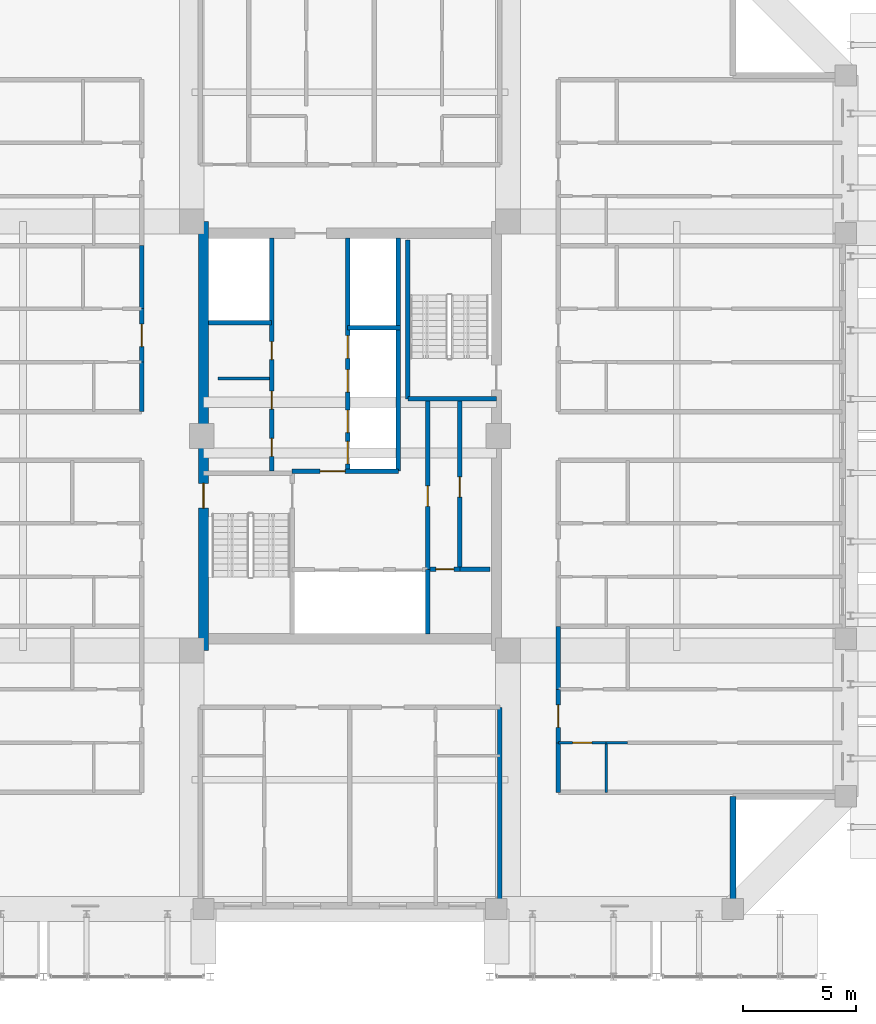
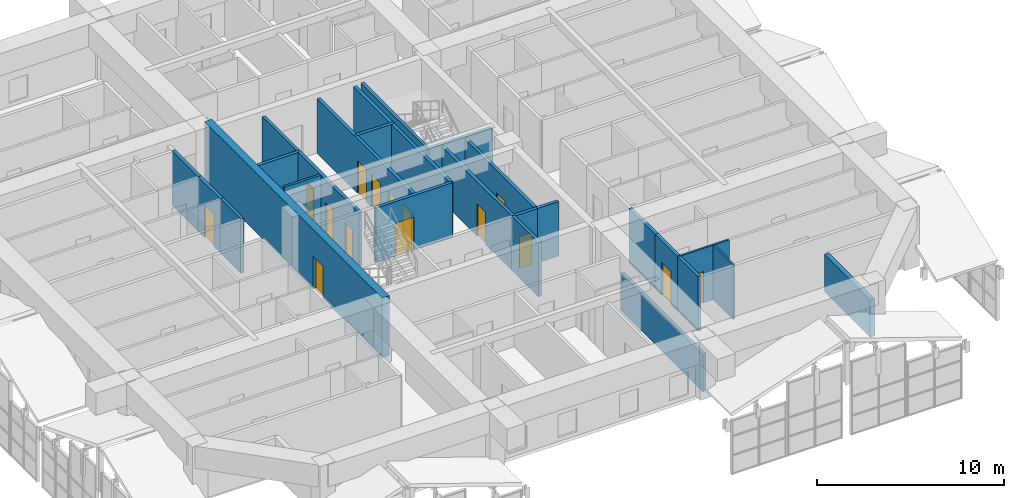
# One storey, part 39 of 45: 27 walls, 15 doors, 15 openings.
"""IFC4 building model written with IfcOpenShell, lengths in metres."""

from ifc_helpers import new_model, si_unit, direction, frame, frame_2d, origin, place, context, subcontext, project, spatial, rectangle, extrude, source, transform, mapped, material, layer, layer_set, type_object, element, fill, save


model = new_model("IFC4")

# Units and contexts
model_context = context("Model", 3, precision=1e-05, world=origin(), true_north=direction((0.0, 1.0)))
body_context = subcontext(model_context, "Body", "Model", "MODEL_VIEW")
ifc_project = project(units=[si_unit("LENGTHUNIT", "METRE"), si_unit("AREAUNIT", "SQUARE_METRE"), si_unit("VOLUMEUNIT", "CUBIC_METRE"), si_unit("PLANEANGLEUNIT", "RADIAN"), si_unit("MASSUNIT", "GRAM", prefix="KILO")], contexts=[model_context])

# Site, building, storey
site_placement = place(None, origin())
site = spatial("IfcSite", under=ifc_project, at=site_placement, CompositionType="ELEMENT")
building_placement = place(site_placement, origin())
building = spatial("IfcBuilding", under=site, at=building_placement, Name="Saelheon Loggia Tower", CompositionType="ELEMENT")
storey_placement = place(building_placement, frame((0.0, 0.0, 152.199951171875)))
storey = spatial("IfcBuildingStorey", under=building, at=storey_placement, Name="L48", CompositionType="ELEMENT", Elevation=152.199951171875)

# Wall, opening, door
ifc_material_1 = material(Name="Concrete C45/55", Category="concrete")
ifc_layer_1 = layer(ifc_material_1, 0.449951171875)
ifc_layer_set_1 = layer_set([ifc_layer_1], Name="Concrete C45/55")
wall_type_1 = type_object("IfcWallType", Name="Wall_CoreShear_450", PredefinedType="SHEAR", material=ifc_layer_set_1)
wall_1_placement = place(storey_placement, frame((31.5, 17.47998046875, 0.0), z_axis=(0.0, 0.0, 1.0), x_axis=(0.0, 1.0, 0.0)))
wall_1 = element("IfcWall", 1, at=wall_1_placement, inside=storey, type_object=wall_type_1, Name="L48 Core Shear Wall West", PredefinedType="SHEAR", context=body_context, shape_type="SweptSolid", body=[
    extrude(rectangle(XDim=19.0400390625, YDim=0.449951171875, at=frame_2d((9.52001953125, 0.0))), origin(), (0.0, 0.0, 1.0), 3.900146484375),
])
opening_1_placement = place(wall_1_placement, frame((6.320068359375, 0.0, 0.0)))
opening_1 = element("IfcOpeningElement", 2, at=opening_1_placement, cuts=wall_1, Name="Opening D-FD2", PredefinedType="OPENING", context=body_context, shape_type="SweptSolid", body=[
    extrude(rectangle(XDim=1.10009765625, YDim=2.14990234375, at=frame_2d((0.550048828125, 1.074951171875))), frame((0.0, 0.237060546875, 0.0), z_axis=(0.0, -1.0, 0.0), x_axis=(1.0, 0.0, 0.0)), (0.0, 0.0, 1.0), 0.473876953125),
])
ifc_material_2 = material(Name="Galvanised Steel Fire Door", Category="steel")
door_type_1 = type_object("IfcDoorType", Name="Door_Fire_FD60_1100", OperationType="NOTDEFINED", PredefinedType="DOOR", material=ifc_material_2)
shared_shape_1 = source(origin(), body_context, "Body", "SweptSolid", [
    extrude(rectangle(XDim=1.10009765625, YDim=2.14990234375, at=frame_2d((0.550048828125, 1.074951171875))), frame((0.0, 0.02490234375, 0.0), z_axis=(0.0, -1.0, 0.0), x_axis=(1.0, 0.0, 0.0)), (0.0, 0.0, 1.0), 0.050048828125),
])
door_1_placement = place(opening_1_placement, origin())
door_1 = element("IfcDoor", 3, at=door_1_placement, inside=storey, type_object=door_type_1, Name="L48 Stair ST1 Corridor Door", OperationType="SINGLE_SWING_LEFT", OverallHeight=2.14990234375, OverallWidth=1.10009765625, PredefinedType="DOOR", context=body_context, shape_type="MappedRepresentation", body=[
    mapped(shared_shape_1, transform((0.0, 0.0, 0.0), scale=1.0)),
])
fill(opening_1, door_1)

# Walls
ifc_material_3 = material(Name="Architectural Precast Concrete C40/50", Category="concrete")
ifc_layer_2 = layer(ifc_material_3, 0.280029296875)
ifc_layer_set_2 = layer_set([ifc_layer_2], Name="Architectural Precast Concrete C40/50")
wall_type_2 = type_object("IfcWallType", Name="Wall_Ext_Loggia_280", PredefinedType="SOLIDWALL", material=ifc_layer_set_2)
wall_2_placement = place(storey_placement, frame((55.0, 6.080078125, 0.0), z_axis=(0.0, 0.0, 1.0), x_axis=(0.0, 1.0, 0.0)))
element("IfcWall", 4, at=wall_2_placement, inside=storey, type_object=wall_type_2, Name="L48 Corner Notch Precast Wall SE1", PredefinedType="SOLIDWALL", context=body_context, shape_type="SweptSolid", body=[
    extrude(rectangle(XDim=4.919921875, YDim=0.280029296875, at=frame_2d((2.4599609375, 0.0))), origin(), (0.0, 0.0, 1.0), 2.43994140625),
])
ifc_material_4 = material(Name="Lightweight Autoclaved Aerated Concrete Block and Acoustic Gypsum", Category="concrete")
ifc_layer_3 = layer(ifc_material_4, 0.14990234375)
ifc_layer_set_3 = layer_set([ifc_layer_3], Name="Lightweight Autoclaved Aerated Concrete Block and Acoustic Gypsum")
wall_type_3 = type_object("IfcWallType", Name="Wall_Part_150", PredefinedType="PARTITIONING", material=ifc_layer_set_3)
wall_3_placement = place(storey_placement, frame((32.14990234375, 29.550048828125, 0.0), z_axis=(0.0, 0.0, 1.0), x_axis=(1.0, 0.0, 0.0)))
element("IfcWall", 5, at=wall_3_placement, inside=storey, type_object=wall_type_3, Name="L48 Freed Core Partition PL1", PredefinedType="PARTITIONING", context=body_context, shape_type="SweptSolid", body=[
    extrude(rectangle(XDim=2.27001953125, YDim=0.14990234375, at=frame_2d((1.135009765625, 0.0))), origin(), (0.0, 0.0, 1.0), 3.56005859375),
])
ifc_material_5 = material(Name="Double Acoustic Stud and Fireboard Partition", Category="gypsum")
ifc_layer_4 = layer(ifc_material_5, 0.199951171875)
ifc_layer_set_4 = layer_set([ifc_layer_4], Name="Double Acoustic Stud and Fireboard Partition")
wall_type_4 = type_object("IfcWallType", Name="Wall_Party_200", PredefinedType="PARTITIONING", material=ifc_layer_set_4)
wall_4_placement = place(storey_placement, frame((44.64990234375, 14.949951171875, 0.0), z_axis=(0.0, 0.0, 1.0), x_axis=(0.0, -1.0, 0.0)))
element("IfcWall", 6, at=wall_4_placement, inside=storey, type_object=wall_type_4, Name="L48 S Partition U02", PredefinedType="PARTITIONING", context=body_context, shape_type="SweptSolid", body=[
    extrude(rectangle(XDim=8.800048828125, YDim=0.199951171875, at=frame_2d((4.39990234375, 0.0))), origin(), (0.0, 0.0, 1.0), 2.43994140625),
])
wall_5_placement = place(storey_placement, frame((28.75, 28.080078125, 0.0), z_axis=(0.0, 0.0, 1.0), x_axis=(0.0, 1.0, 0.0)))
element("IfcWall", 7, at=wall_5_placement, inside=storey, type_object=wall_type_4, Name="L48 WN Partition V03", PredefinedType="PARTITIONING", context=body_context, shape_type="SweptSolid", body=[
    extrude(rectangle(XDim=2.199951171875, YDim=0.199951171875, at=frame_2d((1.10009765625, 0.0))), origin(), (0.0, 0.0, 1.0), 3.56005859375),
])

# Wall, opening, door
wall_6_placement = place(storey_placement, frame((28.75, 30.280029296875, 0.0), z_axis=(0.0, 0.0, 1.0), x_axis=(0.0, 1.0, 0.0)))
wall_6 = element("IfcWall", 8, at=wall_6_placement, inside=storey, type_object=wall_type_4, Name="L48 WN Partition V04", PredefinedType="PARTITIONING", context=body_context, shape_type="SweptSolid", body=[
    extrude(rectangle(XDim=2.369384765625, YDim=0.199951171875, at=frame_2d((1.1845703125, 0.0))), origin(), (0.0, 0.0, 1.0), 3.56005859375),
])
opening_2_placement = place(wall_6_placement, frame((0.684814453125, 0.0, 0.0)))
opening_2 = element("IfcOpeningElement", 9, at=opening_2_placement, cuts=wall_6, Name="Opening D-FD1", PredefinedType="OPENING", context=body_context, shape_type="SweptSolid", body=[
    extrude(rectangle(XDim=1.0, YDim=2.14990234375, at=frame_2d((0.5, 1.074951171875))), frame((0.0, 0.112060546875, 0.0), z_axis=(0.0, -1.0, 0.0), x_axis=(1.0, 0.0, 0.0)), (0.0, 0.0, 1.0), 0.223876953125),
])
ifc_material_6 = material(Name="Fire-Rated Engineered Timber Entrance Door", Category="wood")
door_type_2 = type_object("IfcDoorType", Name="Door_Flat_FD30S", OperationType="NOTDEFINED", PredefinedType="DOOR", material=ifc_material_6)
shared_shape_2 = source(origin(), body_context, "Body", "SweptSolid", [
    extrude(rectangle(XDim=1.0, YDim=2.14990234375, at=frame_2d((0.5, 1.074951171875))), frame((0.0, 0.02490234375, 0.0), z_axis=(0.0, -1.0, 0.0), x_axis=(1.0, 0.0, 0.0)), (0.0, 0.0, 1.0), 0.050048828125),
])
door_2_placement = place(opening_2_placement, origin())
door_2 = element("IfcDoor", 10, at=door_2_placement, inside=storey, type_object=door_type_2, Name="Unit U07 Entrance Door", OperationType="SINGLE_SWING_RIGHT", OverallHeight=2.14990234375, OverallWidth=1.0, PredefinedType="DOOR", context=body_context, shape_type="MappedRepresentation", body=[
    mapped(shared_shape_2, transform((0.0, 0.0, 0.0), scale=1.0)),
])
fill(opening_2, door_2)

# Walls
wall_7_placement = place(storey_placement, frame((28.75, 32.6494140625, 0.0), z_axis=(0.0, 0.0, 1.0), x_axis=(0.0, 1.0, 0.0)))
element("IfcWall", 11, at=wall_7_placement, inside=storey, type_object=wall_type_4, Name="L48 WN Partition V05", PredefinedType="PARTITIONING", context=body_context, shape_type="SweptSolid", body=[
    extrude(rectangle(XDim=2.800537109375, YDim=0.199951171875, at=frame_2d((1.400390625, 0.0))), origin(), (0.0, 0.0, 1.0), 3.56005859375),
])
wall_8_placement = place(storey_placement, frame((47.25, 11.179931640625, 0.0), z_axis=(0.0, 0.0, 1.0), x_axis=(0.0, 1.0, 0.0)))
element("IfcWall", 12, at=wall_8_placement, inside=storey, type_object=wall_type_4, Name="L48 ES Partition V03", PredefinedType="PARTITIONING", context=body_context, shape_type="SweptSolid", body=[
    extrude(rectangle(XDim=2.199951171875, YDim=0.199951171875, at=frame_2d((1.10009765625, 0.0))), origin(), (0.0, 0.0, 1.0), 3.56005859375),
])

# Wall, opening, door
wall_9_placement = place(storey_placement, frame((47.25, 13.3798828125, 0.0), z_axis=(0.0, 0.0, 1.0), x_axis=(0.0, 1.0, 0.0)))
wall_9 = element("IfcWall", 13, at=wall_9_placement, inside=storey, type_object=wall_type_4, Name="L48 ES Partition V04", PredefinedType="PARTITIONING", context=body_context, shape_type="SweptSolid", body=[
    extrude(rectangle(XDim=2.36962890625, YDim=0.199951171875, at=frame_2d((1.184814453125, 0.0))), origin(), (0.0, 0.0, 1.0), 3.56005859375),
])
opening_3_placement = place(wall_9_placement, frame((0.684814453125, 0.0, 0.0)))
opening_3 = element("IfcOpeningElement", 14, at=opening_3_placement, cuts=wall_9, Name="Opening D-FD1", PredefinedType="OPENING", context=body_context, shape_type="SweptSolid", body=[
    extrude(rectangle(XDim=1.0, YDim=2.14990234375, at=frame_2d((0.5, 1.074951171875))), frame((0.0, 0.112060546875, 0.0), z_axis=(0.0, -1.0, 0.0), x_axis=(1.0, 0.0, 0.0)), (0.0, 0.0, 1.0), 0.223876953125),
])
door_3_placement = place(opening_3_placement, origin())
door_3 = element("IfcDoor", 15, at=door_3_placement, inside=storey, type_object=door_type_2, Name="Unit U09 Entrance Door", OperationType="SINGLE_SWING_RIGHT", OverallHeight=2.14990234375, OverallWidth=1.0, PredefinedType="DOOR", context=body_context, shape_type="MappedRepresentation", body=[
    mapped(shared_shape_2, transform((0.0, 0.0, 0.0), scale=1.0)),
])
fill(opening_3, door_3)

# Wall
wall_10_placement = place(storey_placement, frame((47.25, 15.74951171875, 0.0), z_axis=(0.0, 0.0, 1.0), x_axis=(0.0, 1.0, 0.0)))
element("IfcWall", 16, at=wall_10_placement, inside=storey, type_object=wall_type_4, Name="L48 ES Partition V05", PredefinedType="PARTITIONING", context=body_context, shape_type="SweptSolid", body=[
    extrude(rectangle(XDim=2.800537109375, YDim=0.199951171875, at=frame_2d((1.400390625, 0.0))), origin(), (0.0, 0.0, 1.0), 3.56005859375),
])

# Wall, opening, door
ifc_material_7 = material(Name="Concrete C40/50", Category="concrete")
ifc_layer_5 = layer(ifc_material_7, 0.199951171875)
ifc_layer_set_5 = layer_set([ifc_layer_5], Name="Concrete C40/50")
wall_type_5 = type_object("IfcWallType", Name="Wall_Shaft_200", PredefinedType="PARTITIONING", material=ifc_layer_set_5)
wall_11_placement = place(storey_placement, frame((41.550048828125, 21.080078125, 0.0), z_axis=(0.0, 0.0, 1.0), x_axis=(1.0, 0.0, 0.0)))
wall_11 = element("IfcWall", 17, at=wall_11_placement, inside=storey, type_object=wall_type_5, Name="CW-BOH-L48-HS", PredefinedType="PARTITIONING", context=body_context, shape_type="SweptSolid", body=[
    extrude(rectangle(XDim=1.329833984375, YDim=0.199951171875, at=frame_2d((0.6650390625, 0.0))), origin(), (0.0, 0.0, 1.0), 3.56005859375),
])
opening_4_placement = place(wall_11_placement, frame((0.260009765625, 0.0, 0.0)))
opening_4 = element("IfcOpeningElement", 18, at=opening_4_placement, cuts=wall_11, Name="Opening D-ST1", PredefinedType="OPENING", context=body_context, shape_type="SweptSolid", body=[
    extrude(rectangle(XDim=0.800048828125, YDim=2.050048828125, at=frame_2d((0.39990234375, 1.02490234375))), frame((0.0, 0.112060546875, 0.0), z_axis=(0.0, -1.0, 0.0), x_axis=(1.0, 0.0, 0.0)), (0.0, 0.0, 1.0), 0.223876953125),
])
ifc_material_8 = material(Name="Powder-Coated Steel Store Door", Category="steel")
door_type_3 = type_object("IfcDoorType", Name="Door_Store_800", OperationType="NOTDEFINED", PredefinedType="DOOR", material=ifc_material_8)
shared_shape_3 = source(origin(), body_context, "Body", "SweptSolid", [
    extrude(rectangle(XDim=0.800048828125, YDim=2.050048828125, at=frame_2d((0.39990234375, 1.02490234375))), frame((0.0, 0.02490234375, 0.0), z_axis=(0.0, -1.0, 0.0), x_axis=(1.0, 0.0, 0.0)), (0.0, 0.0, 1.0), 0.050048828125),
])
door_4_placement = place(opening_4_placement, origin())
door_4 = element("IfcDoor", 19, at=door_4_placement, inside=storey, type_object=door_type_3, Name="L48 Electrical Riser Door", OperationType="SINGLE_SWING_LEFT", OverallHeight=2.050048828125, OverallWidth=0.800048828125, PredefinedType="DOOR", context=body_context, shape_type="MappedRepresentation", body=[
    mapped(shared_shape_3, transform((0.0, 0.0, 0.0), scale=1.0)),
])
fill(opening_4, door_4)

# Wall
wall_12_placement = place(storey_placement, frame((42.8798828125, 21.080078125, 0.0), z_axis=(0.0, 0.0, 1.0), x_axis=(1.0, 0.0, 0.0)))
element("IfcWall", 20, at=wall_12_placement, inside=storey, type_object=wall_type_5, Name="CW-BOH-L48-HS2", PredefinedType="PARTITIONING", context=body_context, shape_type="SweptSolid", body=[
    extrude(rectangle(XDim=1.340087890625, YDim=0.199951171875, at=frame_2d((0.669921875, 0.0))), origin(), (0.0, 0.0, 1.0), 3.56005859375),
])

# Wall, opening, door
wall_13_placement = place(storey_placement, frame((42.8798828125, 21.080078125, 0.0), z_axis=(0.0, 0.0, 1.0), x_axis=(0.0, 1.0, 0.0)))
wall_13 = element("IfcWall", 21, at=wall_13_placement, inside=storey, type_object=wall_type_5, Name="CW-BOH-L48-VS", PredefinedType="PARTITIONING", context=body_context, shape_type="SweptSolid", body=[
    extrude(rectangle(XDim=7.469970703125, YDim=0.199951171875, at=frame_2d((3.73486328125, 0.0))), origin(), (0.0, 0.0, 1.0), 3.56005859375),
])
opening_5_placement = place(wall_13_placement, frame((3.199951171875, 0.0, 0.0)))
opening_5 = element("IfcOpeningElement", 22, at=opening_5_placement, cuts=wall_13, Name="Opening D-RS1", PredefinedType="OPENING", context=body_context, shape_type="SweptSolid", body=[
    extrude(rectangle(XDim=0.89990234375, YDim=2.10009765625, at=frame_2d((0.449951171875, 1.050048828125))), frame((0.0, 0.112060546875, 0.0), z_axis=(0.0, -1.0, 0.0), x_axis=(1.0, 0.0, 0.0)), (0.0, 0.0, 1.0), 0.223876953125),
])
ifc_material_9 = material(Name="Galvanised Steel Riser Access Door", Category="steel")
door_type_4 = type_object("IfcDoorType", Name="Door_Riser_FD60", OperationType="NOTDEFINED", PredefinedType="DOOR", material=ifc_material_9)
shared_shape_4 = source(origin(), body_context, "Body", "SweptSolid", [
    extrude(rectangle(XDim=0.89990234375, YDim=2.10009765625, at=frame_2d((0.449951171875, 1.050048828125))), frame((0.0, 0.02490234375, 0.0), z_axis=(0.0, -1.0, 0.0), x_axis=(1.0, 0.0, 0.0)), (0.0, 0.0, 1.0), 0.050048828125),
])
door_5_placement = place(opening_5_placement, origin())
door_5 = element("IfcDoor", 23, at=door_5_placement, inside=storey, type_object=door_type_4, Name="L48 Linen Store Door", OperationType="SINGLE_SWING_RIGHT", OverallHeight=2.10009765625, OverallWidth=0.89990234375, PredefinedType="DOOR", context=body_context, shape_type="MappedRepresentation", body=[
    mapped(shared_shape_4, transform((0.0, 0.0, 0.0), scale=1.0)),
])
fill(opening_5, door_5)

# Wall
wall_14_placement = place(storey_placement, frame((41.449951171875, 18.219970703125, 0.0), z_axis=(0.0, 0.0, 1.0), x_axis=(0.0, 1.0, 0.0)))
element("IfcWall", 24, at=wall_14_placement, inside=storey, type_object=wall_type_5, Name="CW-INT-L48-BOH-W0", PredefinedType="PARTITIONING", context=body_context, shape_type="SweptSolid", body=[
    extrude(rectangle(XDim=2.860107421875, YDim=0.199951171875, at=frame_2d((1.43017578125, 0.0))), origin(), (0.0, 0.0, 1.0), 3.56005859375),
])

# Wall, opening, door
wall_15_placement = place(storey_placement, frame((41.449951171875, 21.080078125, 0.0), z_axis=(0.0, 0.0, 1.0), x_axis=(0.0, 1.0, 0.0)))
wall_15 = element("IfcWall", 25, at=wall_15_placement, inside=storey, type_object=wall_type_5, Name="CW-INT-L48-BOH-W1", PredefinedType="PARTITIONING", context=body_context, shape_type="SweptSolid", body=[
    extrude(rectangle(XDim=7.52001953125, YDim=0.199951171875, at=frame_2d((3.760009765625, 0.0))), origin(), (0.0, 0.0, 1.0), 3.56005859375),
])
opening_6_placement = place(wall_15_placement, frame((2.800048828125, 0.0, 0.0)))
opening_6 = element("IfcOpeningElement", 26, at=opening_6_placement, cuts=wall_15, Name="Opening D-RS1", PredefinedType="OPENING", context=body_context, shape_type="SweptSolid", body=[
    extrude(rectangle(XDim=0.89990234375, YDim=2.10009765625, at=frame_2d((0.449951171875, 1.050048828125))), frame((0.0, 0.112060546875, 0.0), z_axis=(0.0, -1.0, 0.0), x_axis=(1.0, 0.0, 0.0)), (0.0, 0.0, 1.0), 0.223876953125),
])
door_6_placement = place(opening_6_placement, origin())
door_6 = element("IfcDoor", 27, at=door_6_placement, inside=storey, type_object=door_type_4, Name="L48 Service Store Door", OperationType="SINGLE_SWING_LEFT", OverallHeight=2.10009765625, OverallWidth=0.89990234375, PredefinedType="DOOR", context=body_context, shape_type="MappedRepresentation", body=[
    mapped(shared_shape_4, transform((0.0, 0.0, 0.0), scale=1.0)),
])
fill(opening_6, door_6)

# Walls
wall_16_placement = place(storey_placement, frame((40.14990234375, 25.43994140625, 0.0), z_axis=(0.0, 0.0, 1.0), x_axis=(0.0, 1.0, 0.0)))
element("IfcWall", 28, at=wall_16_placement, inside=storey, type_object=wall_type_5, Name="L48 Core Service Passage West Wall", PredefinedType="PARTITIONING", context=body_context, shape_type="SweptSolid", body=[
    extrude(rectangle(XDim=6.360107421875, YDim=0.199951171875, at=frame_2d((3.18017578125, 0.0))), origin(), (0.0, 0.0, 1.0), 3.56005859375),
])
wall_17_placement = place(storey_placement, frame((40.14990234375, 31.800048828125, 0.0), z_axis=(0.0, 0.0, 1.0), x_axis=(0.0, 1.0, 0.0)))
element("IfcWall", 29, at=wall_17_placement, inside=storey, type_object=wall_type_5, Name="L48 East High-Rise Hoistway East Wall", PredefinedType="PARTITIONING", context=body_context, shape_type="SweptSolid", body=[
    extrude(rectangle(XDim=3.97998046875, YDim=0.199951171875, at=frame_2d((1.989990234375, 0.0))), origin(), (0.0, 0.0, 1.0), 3.56005859375),
])

# Wall, opening, door
wall_18_placement = place(storey_placement, frame((35.429931640625, 25.43994140625, 0.0), z_axis=(0.0, 0.0, 1.0), x_axis=(1.0, 0.0, 0.0)))
wall_18 = element("IfcWall", 30, at=wall_18_placement, inside=storey, type_object=wall_type_5, Name="L48 Firefighting Lobby Compartment Wall", PredefinedType="PARTITIONING", context=body_context, shape_type="SweptSolid", body=[
    extrude(rectangle(XDim=4.719970703125, YDim=0.199951171875, at=frame_2d((2.35986328125, 0.0))), origin(), (0.0, 0.0, 1.0), 3.56005859375),
])
opening_7_placement = place(wall_18_placement, frame((1.25, 0.0, 0.0)))
opening_7 = element("IfcOpeningElement", 31, at=opening_7_placement, cuts=wall_18, Name="Opening D-FD2", PredefinedType="OPENING", context=body_context, shape_type="SweptSolid", body=[
    extrude(rectangle(XDim=1.10009765625, YDim=2.14990234375, at=frame_2d((0.550048828125, 1.074951171875))), frame((0.0, 0.112060546875, 0.0), z_axis=(0.0, -1.0, 0.0), x_axis=(1.0, 0.0, 0.0)), (0.0, 0.0, 1.0), 0.223876953125),
])
door_7_placement = place(opening_7_placement, origin())
door_7 = element("IfcDoor", 32, at=door_7_placement, inside=storey, type_object=door_type_1, Name="L48 Firefighting Lobby Door", OperationType="SINGLE_SWING_RIGHT", OverallHeight=2.14990234375, OverallWidth=1.10009765625, PredefinedType="DOOR", context=body_context, shape_type="MappedRepresentation", body=[
    mapped(shared_shape_1, transform((0.0, 0.0, 0.0), scale=1.0)),
])
fill(opening_7, door_7)

# Wall, openings, doors
wall_19_placement = place(storey_placement, frame((34.52001953125, 25.43994140625, 0.0), z_axis=(0.0, 0.0, 1.0), x_axis=(0.0, 1.0, 0.0)))
wall_19 = element("IfcWall", 33, at=wall_19_placement, inside=storey, type_object=wall_type_5, Name="L48 West Passenger Lift Bank Wall", PredefinedType="PARTITIONING", context=body_context, shape_type="SweptSolid", body=[
    extrude(rectangle(XDim=10.340087890625, YDim=0.199951171875, at=frame_2d((5.169921875, 0.0))), origin(), (0.0, 0.0, 1.0), 3.56005859375),
])
opening_8_placement = place(wall_19_placement, frame((0.64990234375, 0.0, 0.0)))
opening_8 = element("IfcOpeningElement", 34, at=opening_8_placement, cuts=wall_19, Name="Opening D-ST1", PredefinedType="OPENING", context=body_context, shape_type="SweptSolid", body=[
    extrude(rectangle(XDim=0.800048828125, YDim=2.050048828125, at=frame_2d((0.39990234375, 1.02490234375))), frame((0.0, 0.112060546875, 0.0), z_axis=(0.0, -1.0, 0.0), x_axis=(1.0, 0.0, 0.0)), (0.0, 0.0, 1.0), 0.223876953125),
])
opening_9_placement = place(wall_19_placement, frame((2.75, 0.0, 0.0)))
opening_9 = element("IfcOpeningElement", 35, at=opening_9_placement, cuts=wall_19, Name="Opening D-ST1", PredefinedType="OPENING", context=body_context, shape_type="SweptSolid", body=[
    extrude(rectangle(XDim=0.800048828125, YDim=2.050048828125, at=frame_2d((0.39990234375, 1.02490234375))), frame((0.0, 0.112060546875, 0.0), z_axis=(0.0, -1.0, 0.0), x_axis=(1.0, 0.0, 0.0)), (0.0, 0.0, 1.0), 0.223876953125),
])
opening_10_placement = place(wall_19_placement, frame((4.949951171875, 0.0, 0.0)))
opening_10 = element("IfcOpeningElement", 36, at=opening_10_placement, cuts=wall_19, Name="Opening D-ST1", PredefinedType="OPENING", context=body_context, shape_type="SweptSolid", body=[
    extrude(rectangle(XDim=0.800048828125, YDim=2.050048828125, at=frame_2d((0.39990234375, 1.02490234375))), frame((0.0, 0.112060546875, 0.0), z_axis=(0.0, -1.0, 0.0), x_axis=(1.0, 0.0, 0.0)), (0.0, 0.0, 1.0), 0.223876953125),
])
door_8_placement = place(opening_8_placement, origin())
door_8 = element("IfcDoor", 37, at=door_8_placement, inside=storey, type_object=door_type_3, Name="L48 Telecom Store Door", OperationType="SINGLE_SWING_RIGHT", OverallHeight=2.050048828125, OverallWidth=0.800048828125, PredefinedType="DOOR", context=body_context, shape_type="MappedRepresentation", body=[
    mapped(shared_shape_3, transform((0.0, 0.0, 0.0), scale=1.0)),
])
fill(opening_8, door_8)
door_9_placement = place(opening_9_placement, origin())
door_9 = element("IfcDoor", 38, at=door_9_placement, inside=storey, type_object=door_type_3, Name="L48 Linen Closet Door", OperationType="SINGLE_SWING_LEFT", OverallHeight=2.050048828125, OverallWidth=0.800048828125, PredefinedType="DOOR", context=body_context, shape_type="MappedRepresentation", body=[
    mapped(shared_shape_3, transform((0.0, 0.0, 0.0), scale=1.0)),
])
fill(opening_9, door_9)
door_10_placement = place(opening_10_placement, origin())
door_10 = element("IfcDoor", 39, at=door_10_placement, inside=storey, type_object=door_type_3, Name="L48 Metering Store Door", OperationType="SINGLE_SWING_RIGHT", OverallHeight=2.050048828125, OverallWidth=0.800048828125, PredefinedType="DOOR", context=body_context, shape_type="MappedRepresentation", body=[
    mapped(shared_shape_3, transform((0.0, 0.0, 0.0), scale=1.0)),
])
fill(opening_10, door_10)

# Wall
wall_20_placement = place(storey_placement, frame((31.719970703125, 32.02001953125, 0.0), z_axis=(0.0, 0.0, 1.0), x_axis=(1.0, 0.0, 0.0)))
element("IfcWall", 40, at=wall_20_placement, inside=storey, type_object=wall_type_5, Name="L48 West High-Rise Shaft Divider", PredefinedType="PARTITIONING", context=body_context, shape_type="SweptSolid", body=[
    extrude(rectangle(XDim=2.800048828125, YDim=0.199951171875, at=frame_2d((1.39990234375, 0.0))), origin(), (0.0, 0.0, 1.0), 3.56005859375),
])

# Wall, openings, doors
wall_21_placement = place(storey_placement, frame((37.89990234375, 25.43994140625, 0.0), z_axis=(0.0, 0.0, 1.0), x_axis=(0.0, 1.0, 0.0)))
wall_21 = element("IfcWall", 41, at=wall_21_placement, inside=storey, type_object=wall_type_5, Name="L48 East Passenger Lift Bank Wall", PredefinedType="PARTITIONING", context=body_context, shape_type="SweptSolid", body=[
    extrude(rectangle(XDim=10.340087890625, YDim=0.199951171875, at=frame_2d((5.169921875, 0.0))), origin(), (0.0, 0.0, 1.0), 3.56005859375),
])
opening_11_placement = place(wall_21_placement, frame((0.320068359375, 0.0, 0.0)))
opening_11 = element("IfcOpeningElement", 42, at=opening_11_placement, cuts=wall_21, Name="Opening LD1", PredefinedType="OPENING", context=body_context, shape_type="SweptSolid", body=[
    extrude(rectangle(XDim=1.0, YDim=2.14990234375, at=frame_2d((0.5, 1.074951171875))), frame((0.0, 0.112060546875, 0.0), z_axis=(0.0, -1.0, 0.0), x_axis=(1.0, 0.0, 0.0)), (0.0, 0.0, 1.0), 0.223876953125),
])
opening_12_placement = place(wall_21_placement, frame((1.7099609375, 0.0, 0.0)))
opening_12 = element("IfcOpeningElement", 43, at=opening_12_placement, cuts=wall_21, Name="Opening LD1", PredefinedType="OPENING", context=body_context, shape_type="SweptSolid", body=[
    extrude(rectangle(XDim=1.0, YDim=2.14990234375, at=frame_2d((0.5, 1.074951171875))), frame((0.0, 0.112060546875, 0.0), z_axis=(0.0, -1.0, 0.0), x_axis=(1.0, 0.0, 0.0)), (0.0, 0.0, 1.0), 0.223876953125),
])
opening_13_placement = place(wall_21_placement, frame((3.510009765625, 0.0, 0.0)))
opening_13 = element("IfcOpeningElement", 44, at=opening_13_placement, cuts=wall_21, Name="Opening LD1", PredefinedType="OPENING", context=body_context, shape_type="SweptSolid", body=[
    extrude(rectangle(XDim=1.0, YDim=2.14990234375, at=frame_2d((0.5, 1.074951171875))), frame((0.0, 0.112060546875, 0.0), z_axis=(0.0, -1.0, 0.0), x_axis=(1.0, 0.0, 0.0)), (0.0, 0.0, 1.0), 0.223876953125),
])
opening_14_placement = place(wall_21_placement, frame((5.010009765625, 0.0, 0.0)))
opening_14 = element("IfcOpeningElement", 45, at=opening_14_placement, cuts=wall_21, Name="Opening LD1", PredefinedType="OPENING", context=body_context, shape_type="SweptSolid", body=[
    extrude(rectangle(XDim=1.0, YDim=2.14990234375, at=frame_2d((0.5, 1.074951171875))), frame((0.0, 0.112060546875, 0.0), z_axis=(0.0, -1.0, 0.0), x_axis=(1.0, 0.0, 0.0)), (0.0, 0.0, 1.0), 0.223876953125),
])
ifc_material_10 = material(Name="Brushed Stainless Steel 304 Landing Door", Category="steel")
door_type_5 = type_object("IfcDoorType", Name="Door_Lift_LD1", OperationType="DOUBLE_DOOR_SLIDING", PredefinedType="DOOR", material=ifc_material_10)
door_11_placement = place(opening_11_placement, origin())
door_11 = element("IfcDoor", 46, at=door_11_placement, inside=storey, type_object=door_type_5, Name="L48 PM1 Landing Door", OperationType="DOUBLE_DOOR_SLIDING", OverallHeight=2.14990234375, OverallWidth=1.0, PredefinedType="DOOR", context=body_context, shape_type="MappedRepresentation", body=[
    mapped(shared_shape_2, transform((0.0, 0.0, 0.0), scale=1.0)),
])
fill(opening_11, door_11)
door_12_placement = place(opening_12_placement, origin())
door_12 = element("IfcDoor", 47, at=door_12_placement, inside=storey, type_object=door_type_5, Name="L48 PM2 Landing Door", OperationType="DOUBLE_DOOR_SLIDING", OverallHeight=2.14990234375, OverallWidth=1.0, PredefinedType="DOOR", context=body_context, shape_type="MappedRepresentation", body=[
    mapped(shared_shape_2, transform((0.0, 0.0, 0.0), scale=1.0)),
])
fill(opening_12, door_12)
door_13_placement = place(opening_13_placement, origin())
door_13 = element("IfcDoor", 48, at=door_13_placement, inside=storey, type_object=door_type_5, Name="L48 PM3 Landing Door", OperationType="DOUBLE_DOOR_SLIDING", OverallHeight=2.14990234375, OverallWidth=1.0, PredefinedType="DOOR", context=body_context, shape_type="MappedRepresentation", body=[
    mapped(shared_shape_2, transform((0.0, 0.0, 0.0), scale=1.0)),
])
fill(opening_13, door_13)
door_14_placement = place(opening_14_placement, origin())
door_14 = element("IfcDoor", 49, at=door_14_placement, inside=storey, type_object=door_type_5, Name="L48 PM4 Landing Door", OperationType="DOUBLE_DOOR_SLIDING", OverallHeight=2.14990234375, OverallWidth=1.0, PredefinedType="DOOR", context=body_context, shape_type="MappedRepresentation", body=[
    mapped(shared_shape_2, transform((0.0, 0.0, 0.0), scale=1.0)),
])
fill(opening_14, door_14)

# Walls
wall_22_placement = place(storey_placement, frame((37.89990234375, 31.800048828125, 0.0), z_axis=(0.0, 0.0, 1.0), x_axis=(1.0, 0.0, 0.0)))
element("IfcWall", 50, at=wall_22_placement, inside=storey, type_object=wall_type_5, Name="L48 East High-Rise Shaft Divider", PredefinedType="PARTITIONING", context=body_context, shape_type="SweptSolid", body=[
    extrude(rectangle(XDim=2.35009765625, YDim=0.199951171875, at=frame_2d((1.175048828125, 0.0))), origin(), (0.0, 0.0, 1.0), 3.56005859375),
])
ifc_layer_6 = layer(ifc_material_1, 0.199951171875)
ifc_layer_set_6 = layer_set([ifc_layer_6], Name="Concrete C45/55")
wall_type_6 = type_object("IfcWallType", Name="Wall_StairShaft_RC200", PredefinedType="SOLIDWALL", material=ifc_layer_set_6)
wall_23_placement = place(storey_placement, frame((40.570068359375, 28.64990234375, 0.0), z_axis=(0.0, 0.0, 1.0), x_axis=(0.0, 1.0, 0.0)))
element("IfcWall", 51, at=wall_23_placement, inside=storey, type_object=wall_type_6, Name="L48 Stair ST2 Shaft Wall", PredefinedType="SOLIDWALL", context=body_context, shape_type="SweptSolid", body=[
    extrude(rectangle(XDim=7.050048828125, YDim=0.199951171875, at=frame_2d((3.52490234375, 0.0))), origin(), (0.0, 0.0, 1.0), 3.68994140625),
])
wall_24_placement = place(storey_placement, frame((40.570068359375, 28.64990234375, 0.0), z_axis=(0.0, 0.0, 1.0), x_axis=(1.0, 0.0, 0.0)))
element("IfcWall", 52, at=wall_24_placement, inside=storey, type_object=wall_type_6, Name="L48 Stair ST2 South Wall", PredefinedType="SOLIDWALL", context=body_context, shape_type="SweptSolid", body=[
    extrude(rectangle(XDim=3.929931640625, YDim=0.199951171875, at=frame_2d((1.96484375, 0.0))), origin(), (0.0, 0.0, 1.0), 3.68994140625),
])
ifc_material_11 = material(Name="Moisture-Resistant Cement Board Partition", Category="gypsum")
ifc_layer_7 = layer(ifc_material_11, 0.1201171875)
ifc_layer_set_7 = layer_set([ifc_layer_7], Name="Moisture-Resistant Cement Board Partition")
wall_type_7 = type_object("IfcWallType", Name="Wall_WetPart_120", PredefinedType="PARTITIONING", material=ifc_layer_set_7)
wall_25_placement = place(storey_placement, frame((49.3701171875, 11.179931640625, 0.0), z_axis=(0.0, 0.0, 1.0), x_axis=(0.0, 1.0, 0.0)))
element("IfcWall", 53, at=wall_25_placement, inside=storey, type_object=wall_type_7, Name="L48 ES Partition V06", PredefinedType="PARTITIONING", context=body_context, shape_type="SweptSolid", body=[
    extrude(rectangle(XDim=2.199951171875, YDim=0.1201171875, at=frame_2d((1.10009765625, 0.0))), origin(), (0.0, 0.0, 1.0), 3.56005859375),
])

# Wall, opening, door
wall_26_placement = place(storey_placement, frame((47.25, 13.3798828125, 0.0), z_axis=(0.0, 0.0, 1.0), x_axis=(1.0, 0.0, 0.0)))
wall_26 = element("IfcWall", 54, at=wall_26_placement, inside=storey, type_object=wall_type_7, Name="L48 ES Partition U08", PredefinedType="PARTITIONING", context=body_context, shape_type="SweptSolid", body=[
    extrude(rectangle(XDim=2.1201171875, YDim=0.1201171875, at=frame_2d((1.06005859375, 0.0))), origin(), (0.0, 0.0, 1.0), 3.56005859375),
])
opening_15_placement = place(wall_26_placement, frame((0.635009765625, 0.0, 0.0)))
opening_15 = element("IfcOpeningElement", 55, at=opening_15_placement, cuts=wall_26, Name="Opening D-BT1", PredefinedType="OPENING", context=body_context, shape_type="SweptSolid", body=[
    extrude(rectangle(XDim=0.85009765625, YDim=2.050048828125, at=frame_2d((0.425048828125, 1.02490234375))), frame((0.0, 0.072021484375, 0.0), z_axis=(0.0, -1.0, 0.0), x_axis=(1.0, 0.0, 0.0)), (0.0, 0.0, 1.0), 0.14404296875),
])
ifc_material_12 = material(Name="Moisture-Resistant Laminate Timber Door", Category="wood")
door_type_6 = type_object("IfcDoorType", Name="Door_Bath_850", OperationType="NOTDEFINED", PredefinedType="DOOR", material=ifc_material_12)
shared_shape_5 = source(origin(), body_context, "Body", "SweptSolid", [
    extrude(rectangle(XDim=0.85009765625, YDim=2.050048828125, at=frame_2d((0.425048828125, 1.02490234375))), frame((0.0, 0.02490234375, 0.0), z_axis=(0.0, -1.0, 0.0), x_axis=(1.0, 0.0, 0.0)), (0.0, 0.0, 1.0), 0.050048828125),
])
door_15_placement = place(opening_15_placement, origin())
door_15 = element("IfcDoor", 56, at=door_15_placement, inside=storey, type_object=door_type_6, Name="Unit U09 Bathroom Door", OperationType="SINGLE_SWING_LEFT", OverallHeight=2.050048828125, OverallWidth=0.85009765625, PredefinedType="DOOR", context=body_context, shape_type="MappedRepresentation", body=[
    mapped(shared_shape_5, transform((0.0, 0.0, 0.0), scale=1.0)),
])
fill(opening_15, door_15)

# Wall
wall_27_placement = place(storey_placement, frame((49.3701171875, 13.3798828125, 0.0), z_axis=(0.0, 0.0, 1.0), x_axis=(1.0, 0.0, 0.0)))
element("IfcWall", 57, at=wall_27_placement, inside=storey, type_object=wall_type_7, Name="L48 ES Partition U09", PredefinedType="PARTITIONING", context=body_context, shape_type="SweptSolid", body=[
    extrude(rectangle(XDim=0.9599609375, YDim=0.1201171875, at=frame_2d((0.47998046875, 0.0))), origin(), (0.0, 0.0, 1.0), 3.56005859375),
])

save(model, "model.ifc")
